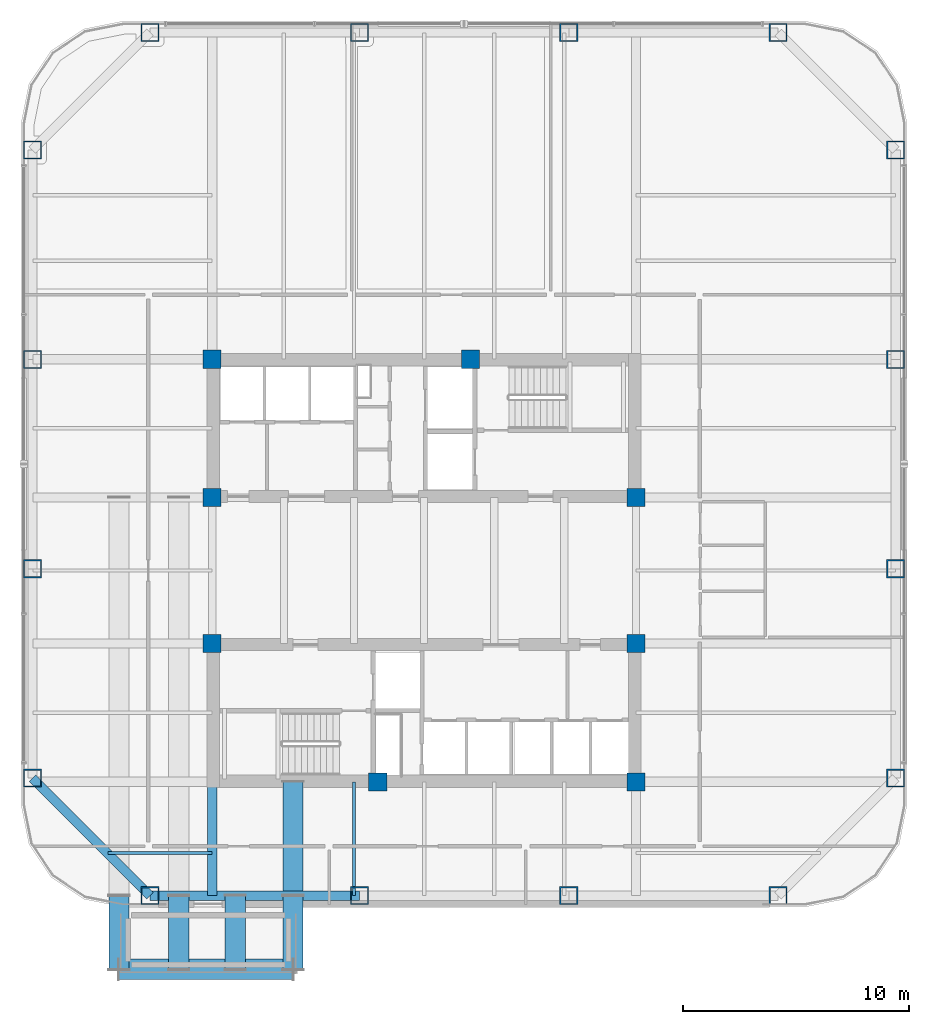
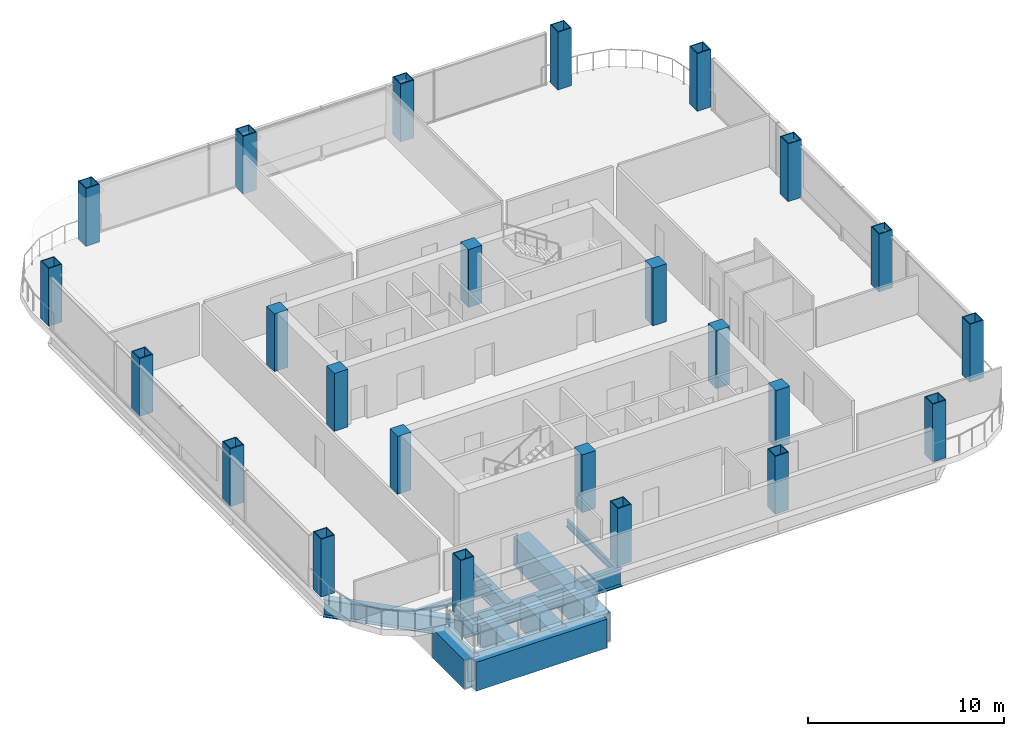
# One storey, part 1 of 20: 24 columns, 11 beams.
"""IFC4 building model written with IfcOpenShell, lengths in metres."""

from ifc_helpers import new_model, si_unit, direction, frame, origin, origin_2d, place, context, subcontext, project, spatial, rectangle, hollow_rectangle, i_section, extrude, material, material_profile, profile_set, type_object, element, save


model = new_model("IFC4")

# Units and contexts
model_context = context("Model", 3, precision=1e-05, world=origin(), true_north=direction((0.0, 1.0)))
body_context = subcontext(model_context, "Body", "Model", "MODEL_VIEW")
ifc_project = project(units=[si_unit("LENGTHUNIT", "METRE"), si_unit("AREAUNIT", "SQUARE_METRE"), si_unit("VOLUMEUNIT", "CUBIC_METRE"), si_unit("PLANEANGLEUNIT", "RADIAN"), si_unit("MASSUNIT", "GRAM", prefix="KILO")], contexts=[model_context])

# Site, building, storey
site_placement = place(None, origin())
site = spatial("IfcSite", under=ifc_project, at=site_placement, CompositionType="ELEMENT")
building_placement = place(site_placement, origin())
building = spatial("IfcBuilding", under=site, at=building_placement, Name="Qhalaya Broadcast Tower", CompositionType="ELEMENT")
storey_placement = place(building_placement, frame((0.0, 0.0, 104.85009765625)))
storey = spatial("IfcBuildingStorey", under=building, at=storey_placement, Name="L30", CompositionType="ELEMENT", Elevation=104.85009765625)

# Columns
ifc_material_1 = material(Name="Concrete C50/60", Category="concrete")
ifc_material_profile_1 = material_profile(ifc_material_1, rectangle(XDim=0.800048828125, YDim=0.800048828125, at=origin_2d()), Name="RC-COL 800x800")
ifc_profile_set_1 = profile_set([ifc_material_profile_1], Name="Concrete C50/60")
column_type_1 = type_object("IfcColumnType", Name="RC Upper Column C10", PredefinedType="COLUMN", material=ifc_profile_set_1)
for number, where, z_axis, x_axis, name in (
    (1, (-9.375, 9.949951171875, 0.0), (0.0, 0.0, 1.0), (1.0, 0.0, 0.0), "L30 Column COL-CC1"),
    (2, (2.050048828125, 9.949951171875, 0.0), (0.0, 0.0, 1.0), (1.0, 0.0, 0.0), "L30 Column COL-CC2"),
    (3, (-9.375, 3.824951171875, 0.0), (0.0, 0.0, 1.0), (1.0, 0.0, 0.0), "L30 Column COL-CC3"),
    (4, (9.375, 3.824951171875, 0.0), (0.0, 0.0, 1.0), (1.0, 0.0, 0.0), "L30 Column COL-CC4"),
    (5, (-9.375, -2.625, 0.0), (0.0, 0.0, 1.0), (1.0, 0.0, 0.0), "L30 Column COL-CC5"),
    (6, (9.375, -2.625, 0.0), (0.0, 0.0, 1.0), (1.0, 0.0, 0.0), "L30 Column COL-CC6"),
    (7, (-2.050048828125, -8.75, 0.0), (0.0, 0.0, 1.0), (1.0, 0.0, 0.0), "L30 Column COL-CC7"),
    (8, (9.375, -8.75, 0.0), (0.0, 0.0, 1.0), (1.0, 0.0, 0.0), "L30 Column COL-CC8"),
):
    element("IfcColumn", number, at=place(storey_placement, frame(where, z_axis=z_axis, x_axis=x_axis)), inside=storey, type_object=column_type_1, Name=name, PredefinedType="COLUMN", context=body_context, shape_type="SweptSolid", body=[
        extrude(rectangle(XDim=0.800048828125, YDim=0.800048828125, at=origin_2d()), origin(), (0.0, 0.0, 1.0), 3.599853515625),
    ])
ifc_material_2 = material(Name="Structural Steel ASTM A572 Grade 50", Category="steel")
ifc_material_profile_2 = material_profile(ifc_material_2, hollow_rectangle(XDim=0.800048828125, YDim=0.800048828125, WallThickness=0.050048828125, at=origin_2d()), Name="BOX 800x800x50")
ifc_profile_set_2 = profile_set([ifc_material_profile_2], Name="Structural Steel ASTM A572 Grade 50")
column_type_2 = type_object("IfcColumnType", Name="Steel Box Column C03", PredefinedType="COLUMN", material=ifc_profile_set_2)
for number, where, z_axis, x_axis, name in (
    (9, (-12.1298828125, -13.7900390625, 0.0), (0.0, 0.0, 1.0), (1.0, 0.0, 0.0), "L30 Column COL-NK01"),
    (10, (-2.86328125, -13.7900390625, 0.0), (0.0, 0.0, 1.0), (1.0, 0.0, 0.0), "L30 Column COL-NK02"),
    (11, (6.4033203125, -13.7900390625, 0.0), (0.0, 0.0, 1.0), (1.0, 0.0, 0.0), "L30 Column COL-NK03"),
    (12, (15.669921875, -13.7900390625, 0.0), (0.0, 0.0, 1.0), (1.0, 0.0, 0.0), "L30 Column COL-NK04"),
    (13, (20.8701171875, -8.590087890625, 0.0), (0.0, 0.0, 1.0), (0.0, 1.0, 0.0), "L30 Column COL-NK05"),
    (14, (20.8701171875, 0.6767578125, 0.0), (0.0, 0.0, 1.0), (0.0, 1.0, 0.0), "L30 Column COL-NK06"),
    (15, (20.8701171875, 9.943359375, 0.0), (0.0, 0.0, 1.0), (0.0, 1.0, 0.0), "L30 Column COL-NK07"),
    (16, (20.8701171875, 19.2099609375, 0.0), (0.0, 0.0, 1.0), (0.0, 1.0, 0.0), "L30 Column COL-NK08"),
    (17, (15.669921875, 24.409912109375, 0.0), (0.0, 0.0, 1.0), (1.0, 0.0, 0.0), "L30 Column COL-NK09"),
    (18, (6.4033203125, 24.409912109375, 0.0), (0.0, 0.0, 1.0), (1.0, 0.0, 0.0), "L30 Column COL-NK10"),
    (19, (-2.86328125, 24.409912109375, 0.0), (0.0, 0.0, 1.0), (1.0, 0.0, 0.0), "L30 Column COL-NK11"),
    (20, (-12.1298828125, 24.409912109375, 0.0), (0.0, 0.0, 1.0), (1.0, 0.0, 0.0), "L30 Column COL-NK12"),
    (21, (-17.330078125, 19.2099609375, 0.0), (0.0, 0.0, 1.0), (0.0, 1.0, 0.0), "L30 Column COL-NK13"),
    (22, (-17.330078125, 9.943359375, 0.0), (0.0, 0.0, 1.0), (0.0, 1.0, 0.0), "L30 Column COL-NK14"),
    (23, (-17.330078125, 0.6767578125, 0.0), (0.0, 0.0, 1.0), (0.0, 1.0, 0.0), "L30 Column COL-NK15"),
    (24, (-17.330078125, -8.590087890625, 0.0), (0.0, 0.0, 1.0), (0.0, 1.0, 0.0), "L30 Column COL-NK16"),
):
    element("IfcColumn", number, at=place(storey_placement, frame(where, z_axis=z_axis, x_axis=x_axis)), inside=storey, type_object=column_type_2, Name=name, PredefinedType="COLUMN", context=body_context, shape_type="SweptSolid", body=[
        extrude(hollow_rectangle(XDim=0.800048828125, YDim=0.800048828125, WallThickness=0.050048828125, at=origin_2d()), origin(), (0.0, 0.0, 1.0), 3.599853515625),
    ])

# Beams
ifc_material_profile_3 = material_profile(ifc_material_2, hollow_rectangle(XDim=0.89990234375, YDim=1.800048828125, WallThickness=0.06005859375, at=origin_2d()), Name="BOX 900x1800x60")
ifc_profile_set_3 = profile_set([ifc_material_profile_3], Name="Structural Steel ASTM A572 Grade 50")
beam_type_1 = type_object("IfcBeamType", Name="Block Cantilever Transfer Box Girder TG1", PredefinedType="USERDEFINED", material=ifc_profile_set_3)
beam_1_placement = place(storey_placement, frame((-13.5, -17.050048828125, -1.280029296875), z_axis=(1.0, 0.0, 0.0), x_axis=(0.0, 1.0, 0.0)))
element("IfcBeam", 25, at=beam_1_placement, inside=storey, type_object=beam_type_1, Name="L30 TG1 L30-SPB-EDGE", ObjectType="GIRDER", PredefinedType="USERDEFINED", context=body_context, shape_type="SweptSolid", body=[
    extrude(hollow_rectangle(XDim=0.89990234375, YDim=1.800048828125, WallThickness=0.06005859375, at=origin_2d()), origin(), (0.0, 0.0, 1.0), 7.699951171875),
])
for number, where, z_axis, x_axis, name in (
    (26, (-13.5, -17.050048828125, -1.280029296875), (0.0, 1.0, 0.0), (-1.0, 0.0, 0.0), "L30 TG1 L30-SPB-OUT-1"),
    (27, (-10.85009765625, -17.050048828125, -1.280029296875), (0.0, 1.0, 0.0), (-1.0, 0.0, 0.0), "L30 TG1 L30-SPB-OUT-2"),
    (28, (-8.35009765625, -17.050048828125, -1.280029296875), (0.0, 1.0, 0.0), (-1.0, 0.0, 0.0), "L30 TG1 L30-SPB-OUT-3"),
    (29, (-5.800048828125, -17.050048828125, -1.280029296875), (0.0, 1.0, 0.0), (-1.0, 0.0, 0.0), "L30 TG1 L30-SPB-OUT-4"),
):
    element("IfcBeam", number, at=place(storey_placement, frame(where, z_axis=z_axis, x_axis=x_axis)), inside=storey, type_object=beam_type_1, Name=name, ObjectType="GIRDER", PredefinedType="USERDEFINED", context=body_context, shape_type="SweptSolid", body=[
        extrude(hollow_rectangle(XDim=0.89990234375, YDim=1.800048828125, WallThickness=0.06005859375, at=origin_2d()), origin(), (0.0, 0.0, 1.0), 3.260009765625),
    ])
beam_2_placement = place(storey_placement, frame((-5.800048828125, -13.7900390625, -1.280029296875), z_axis=(0.0, 1.0, 0.0), x_axis=(-1.0, 0.0, 0.0)))
element("IfcBeam", 30, at=beam_2_placement, inside=storey, type_object=beam_type_1, Name="L30 TG1 L30-SPB-BK-4", ObjectType="GIRDER", PredefinedType="USERDEFINED", context=body_context, shape_type="SweptSolid", body=[
    extrude(hollow_rectangle(XDim=0.89990234375, YDim=1.800048828125, WallThickness=0.06005859375, at=origin_2d()), origin(), (0.0, 0.0, 1.0), 5.0400390625),
])
ifc_material_3 = material(Name="Structural Steel ASTM A992 Grade 50", Category="steel")
ifc_material_profile_4 = material_profile(ifc_material_3, i_section(OverallWidth=0.154052734375, OverallDepth=0.458984375, WebThickness=0.009033203125, FlangeThickness=0.015380859375, at=origin_2d()), Name="W18X46")
ifc_profile_set_4 = profile_set([ifc_material_profile_4], Name="Structural Steel ASTM A992 Grade 50")
beam_type_2 = type_object("IfcBeamType", Name="Composite Floor Joist J04", PredefinedType="JOIST", material=ifc_profile_set_4)
beam_3_placement = place(storey_placement, frame((-3.10009765625, -13.77001953125, -0.609619140625), z_axis=(0.0, 1.0, 0.0), x_axis=(-1.0, 0.0, 0.0)))
element("IfcBeam", 31, at=beam_3_placement, inside=storey, type_object=beam_type_2, Name="L30 J04 L30-JNS2-1", PredefinedType="JOIST", context=body_context, shape_type="SweptSolid", body=[
    extrude(i_section(OverallWidth=0.154052734375, OverallDepth=0.458984375, WebThickness=0.009033203125, FlangeThickness=0.015380859375, at=origin_2d()), origin(), (0.0, 0.0, 1.0), 5.02001953125),
])
beam_4_placement = place(storey_placement, frame((-13.99169921875, -11.89990234375, -0.609619140625), z_axis=(1.0, 0.0, 0.0), x_axis=(0.0, 1.0, 0.0)))
element("IfcBeam", 32, at=beam_4_placement, inside=storey, type_object=beam_type_2, Name="L30 J04 L30-JWE2W-1", PredefinedType="JOIST", context=body_context, shape_type="SweptSolid", body=[
    extrude(i_section(OverallWidth=0.154052734375, OverallDepth=0.458984375, WebThickness=0.009033203125, FlangeThickness=0.015380859375, at=origin_2d()), origin(), (0.0, 0.0, 1.0), 4.61669921875),
])
ifc_material_profile_5 = material_profile(ifc_material_3, i_section(OverallWidth=0.404052734375, OverallDepth=1.117919921875, WebThickness=0.026123046875, FlangeThickness=0.044921875, at=origin_2d()), Name="W44X335")
ifc_profile_set_5 = profile_set([ifc_material_profile_5], Name="Structural Steel ASTM A992 Grade 50")
beam_type_3 = type_object("IfcBeamType", Name="Podium Long-Span Primary Girder PG1", PredefinedType="USERDEFINED", material=ifc_profile_set_5)
beam_5_placement = place(storey_placement, frame((-12.1298828125, -13.7900390625, -0.939208984375), z_axis=(1.0, 0.0, 0.0), x_axis=(0.0, 1.0, 0.0)))
element("IfcBeam", 33, at=beam_5_placement, inside=storey, type_object=beam_type_3, Name="L30 PG1 L30-SPR-01", ObjectType="GIRDER", PredefinedType="USERDEFINED", context=body_context, shape_type="SweptSolid", body=[
    extrude(i_section(OverallWidth=0.404052734375, OverallDepth=1.117919921875, WebThickness=0.026123046875, FlangeThickness=0.044921875, at=origin_2d()), origin(), (0.0, 0.0, 1.0), 9.2666015625),
])
beam_6_placement = place(storey_placement, frame((-17.330078125, -8.590087890625, -0.939208984375), z_axis=(0.707123380132, -0.707090181851, 0.0), x_axis=(0.707090181851, 0.707123380132, 0.0)))
element("IfcBeam", 34, at=beam_6_placement, inside=storey, type_object=beam_type_3, Name="L30 PG1 L30-SPR-16", ObjectType="GIRDER", PredefinedType="USERDEFINED", context=body_context, shape_type="SweptSolid", body=[
    extrude(i_section(OverallWidth=0.404052734375, OverallDepth=1.117919921875, WebThickness=0.026123046875, FlangeThickness=0.044921875, at=origin_2d()), origin(), (0.0, 0.0, 1.0), 7.35400390625),
])
beam_7_placement = place(storey_placement, frame((-9.375, -13.77001953125, -0.939208984375), z_axis=(0.0, 1.0, 0.0), x_axis=(-1.0, 0.0, 0.0)))
element("IfcBeam", 35, at=beam_7_placement, inside=storey, type_object=beam_type_3, Name="L30 PG1 L30-PGXS1-1", ObjectType="GIRDER", PredefinedType="USERDEFINED", context=body_context, shape_type="SweptSolid", body=[
    extrude(i_section(OverallWidth=0.404052734375, OverallDepth=1.117919921875, WebThickness=0.026123046875, FlangeThickness=0.044921875, at=origin_2d()), origin(), (0.0, 0.0, 1.0), 5.02001953125),
])

save(model, "model.ifc")
